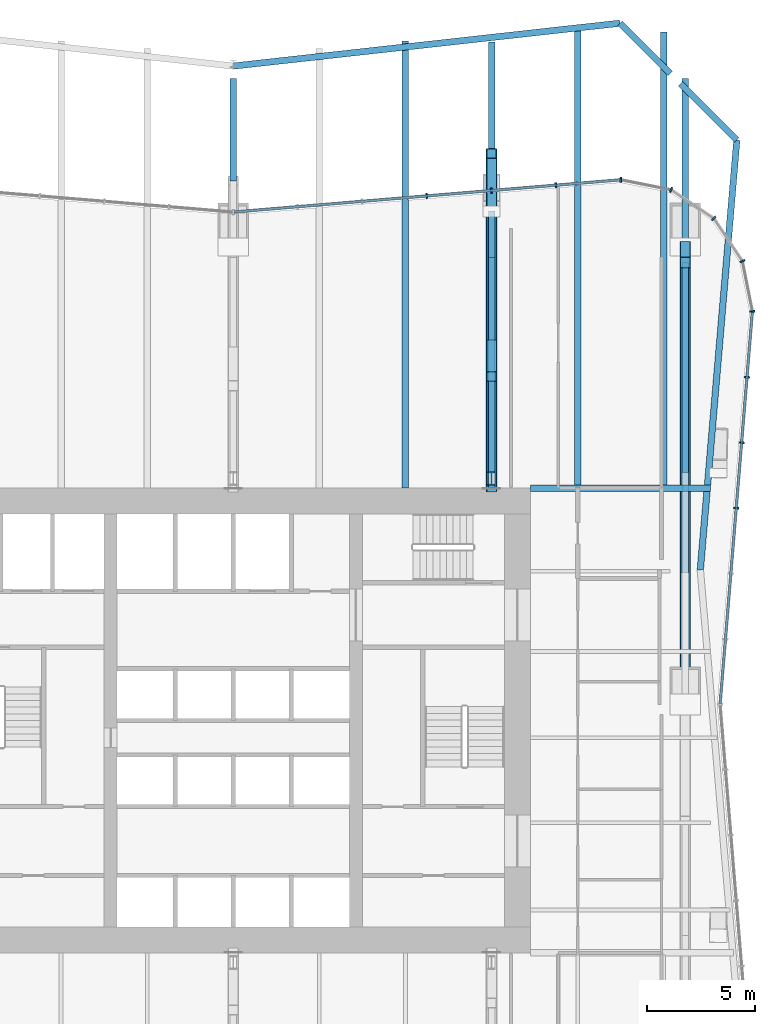
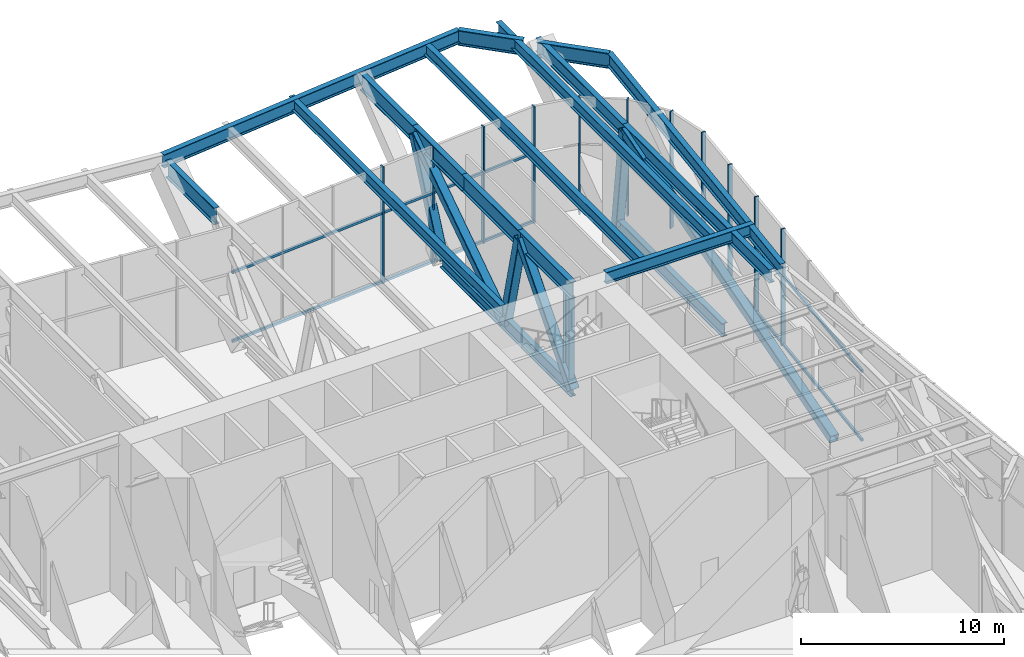
# One storey, part 9 of 17: 31 members, 8 beams, 3 elements without a shape of their own.
"""IFC4 building model written with IfcOpenShell, lengths in metres."""

from ifc_helpers import new_model, si_unit, direction, frame, origin, origin_2d, place, context, subcontext, project, spatial, rectangle, hollow_rectangle, i_section, extrude, material, material_profile, profile_set, type_object, element, aggregate, save


model = new_model("IFC4")

# Units and contexts
model_context = context("Model", 3, precision=1e-05, world=origin(), true_north=direction((0.0, 1.0)))
body_context = subcontext(model_context, "Body", "Model", "MODEL_VIEW")
ifc_project = project(units=[si_unit("LENGTHUNIT", "METRE"), si_unit("AREAUNIT", "SQUARE_METRE"), si_unit("VOLUMEUNIT", "CUBIC_METRE"), si_unit("PLANEANGLEUNIT", "RADIAN"), si_unit("MASSUNIT", "GRAM", prefix="KILO")], contexts=[model_context])

# Site, building, storey
site_placement = place(None, origin())
site = spatial("IfcSite", under=ifc_project, at=site_placement, CompositionType="ELEMENT")
building_placement = place(site_placement, origin())
building = spatial("IfcBuilding", under=site, at=building_placement, Name="Verdant Reach Tower", CompositionType="ELEMENT")
storey_placement = place(building_placement, frame((0.0, 0.0, 114.0)))
storey = spatial("IfcBuildingStorey", under=building, at=storey_placement, Name="L26 Plant", CompositionType="ELEMENT", Elevation=114.0)

# Curtain wall, members
ifc_material_1 = material(Name="Anodised aluminium", Category="aluminium")
curtain_wall_type = type_object("IfcCurtainWallType", Name="EN-CW SYSTEM PLANT", PredefinedType="NOTDEFINED", material=ifc_material_1)
curtain_wall_1_placement = place(storey_placement, origin())
curtain_wall_1 = element("IfcCurtainWall", 1, at=curtain_wall_1_placement, inside=storey, type_object=curtain_wall_type, Name="Curtain wall east, L26", PredefinedType="NOTDEFINED")
ifc_material_profile_1 = material_profile(ifc_material_1, rectangle(XDim=0.238037109375, YDim=0.080078125, at=origin_2d()), Name="Mullion 80x240")
ifc_profile_set_1 = profile_set([ifc_material_profile_1], Name="Anodised aluminium")
member_type_1 = type_object("IfcMemberType", Name="EN-MULLION PLANT", PredefinedType="MULLION", material=ifc_profile_set_1)
member_1_placement = place(storey_placement, frame((23.36865234375, 37.865234375, -0.35009765625), z_axis=(0.0, 0.0, 1.0), x_axis=(0.996639273542, -0.081915556724, 0.0)))
member_1 = element("IfcMember", 2, at=member_1_placement, type_object=member_type_1, Name="Mullion east face part 2 4, L26", PredefinedType="MULLION", context=body_context, shape_type="SweptSolid", body=[
    extrude(rectangle(XDim=0.238037109375, YDim=0.080078125, at=origin_2d()), origin(), (0.0, 0.0, 1.0), 7.0),
])
member_2_placement = place(storey_placement, frame((23.61865234375, 40.906982421875, -0.35009765625), z_axis=(0.0, 0.0, 1.0), x_axis=(0.996639273542, -0.081915556724, 0.0)))
member_2 = element("IfcMember", 3, at=member_2_placement, type_object=member_type_1, Name="Mullion east face part 2 5, L26", PredefinedType="MULLION", context=body_context, shape_type="SweptSolid", body=[
    extrude(rectangle(XDim=0.238037109375, YDim=0.080078125, at=origin_2d()), origin(), (0.0, 0.0, 1.0), 7.0),
])
member_3_placement = place(storey_placement, frame((23.86865234375, 43.948486328125, -0.35009765625), z_axis=(0.0, 0.0, 1.0), x_axis=(0.996639273542, -0.081915556724, 0.0)))
member_3 = element("IfcMember", 4, at=member_3_placement, type_object=member_type_1, Name="Mullion east face part 2 6, L26", PredefinedType="MULLION", context=body_context, shape_type="SweptSolid", body=[
    extrude(rectangle(XDim=0.238037109375, YDim=0.080078125, at=origin_2d()), origin(), (0.0, 0.0, 1.0), 7.0),
])

curtain_wall_2_placement = place(storey_placement, origin())
curtain_wall_2 = element("IfcCurtainWall", 5, at=curtain_wall_2_placement, inside=storey, type_object=curtain_wall_type, Name="Curtain wall north-east corner, L26", PredefinedType="NOTDEFINED")
member_4_placement = place(storey_placement, frame((24.118896484375, 47.0068359375, -0.35009765625), z_axis=(0.0, 0.0, 1.0), x_axis=(0.998366452275, 0.057135164055, 0.0)))
member_4 = element("IfcMember", 6, at=member_4_placement, type_object=member_type_1, Name="Mullion north-east corner 1, L26", PredefinedType="MULLION", context=body_context, shape_type="SweptSolid", body=[
    extrude(rectangle(XDim=0.238037109375, YDim=0.080078125, at=origin_2d()), origin(), (0.0, 0.0, 1.0), 7.0),
])
member_5_placement = place(storey_placement, frame((23.6533203125, 49.341552734375, -0.35009765625), z_axis=(0.0, 0.0, 1.0), x_axis=(0.923875215753, 0.382693853776, 0.0)))
member_5 = element("IfcMember", 7, at=member_5_placement, type_object=member_type_1, Name="Mullion north-east corner 2, L26", PredefinedType="MULLION", context=body_context, shape_type="SweptSolid", body=[
    extrude(rectangle(XDim=0.238037109375, YDim=0.080078125, at=origin_2d()), origin(), (0.0, 0.0, 1.0), 7.0),
])
member_6_placement = place(storey_placement, frame((22.32666015625, 51.32666015625, -0.35009765625), z_axis=(0.0, 0.0, 1.0), x_axis=(0.707106781187, 0.707106781187, 0.0)))
member_6 = element("IfcMember", 8, at=member_6_placement, type_object=member_type_1, Name="Mullion north-east corner 3, L26", PredefinedType="MULLION", context=body_context, shape_type="SweptSolid", body=[
    extrude(rectangle(XDim=0.238037109375, YDim=0.080078125, at=origin_2d()), origin(), (0.0, 0.0, 1.0), 7.0),
])
member_7_placement = place(storey_placement, frame((20.341552734375, 52.6533203125, -0.35009765625), z_axis=(0.0, 0.0, 1.0), x_axis=(0.382693853776, 0.923875215753, 0.0)))
member_7 = element("IfcMember", 9, at=member_7_placement, type_object=member_type_1, Name="Mullion north-east corner 4, L26", PredefinedType="MULLION", context=body_context, shape_type="SweptSolid", body=[
    extrude(rectangle(XDim=0.238037109375, YDim=0.080078125, at=origin_2d()), origin(), (0.0, 0.0, 1.0), 7.0),
])
aggregate(curtain_wall_2, [member_4, member_5, member_6, member_7])

curtain_wall_3_placement = place(storey_placement, origin())
curtain_wall_3 = element("IfcCurtainWall", 10, at=curtain_wall_3_placement, inside=storey, type_object=curtain_wall_type, Name="Curtain wall north, L26", PredefinedType="NOTDEFINED")
member_8_placement = place(storey_placement, frame((18.0068359375, 53.118896484375, -0.35009765625), z_axis=(0.0, 0.0, 1.0), x_axis=(0.056569187765, 0.998398681387, 0.0)))
member_8 = element("IfcMember", 11, at=member_8_placement, type_object=member_type_1, Name="Mullion north face part 1 1, L26", PredefinedType="MULLION", context=body_context, shape_type="SweptSolid", body=[
    extrude(rectangle(XDim=0.238037109375, YDim=0.080078125, at=origin_2d()), origin(), (0.0, 0.0, 1.0), 7.0),
])
member_9_placement = place(storey_placement, frame((14.990234375, 52.86865234375, -0.35009765625), z_axis=(0.0, 0.0, 1.0), x_axis=(-0.083045479859, 0.996545758244, 0.0)))
member_9 = element("IfcMember", 12, at=member_9_placement, type_object=member_type_1, Name="Mullion north face part 1 2, L26", PredefinedType="MULLION", context=body_context, shape_type="SweptSolid", body=[
    extrude(rectangle(XDim=0.238037109375, YDim=0.080078125, at=origin_2d()), origin(), (0.0, 0.0, 1.0), 7.0),
])
member_10_placement = place(storey_placement, frame((11.990234375, 52.61865234375, -0.35009765625), z_axis=(0.0, 0.0, 1.0), x_axis=(-0.083045479859, 0.996545758244, 0.0)))
member_10 = element("IfcMember", 13, at=member_10_placement, type_object=member_type_1, Name="Mullion north face part 1 3, L26", PredefinedType="MULLION", context=body_context, shape_type="SweptSolid", body=[
    extrude(rectangle(XDim=0.238037109375, YDim=0.080078125, at=origin_2d()), origin(), (0.0, 0.0, 1.0), 7.0),
])
member_11_placement = place(storey_placement, frame((8.990234375, 52.36865234375, -0.35009765625), z_axis=(0.0, 0.0, 1.0), x_axis=(-0.083045479859, 0.996545758244, 0.0)))
member_11 = element("IfcMember", 14, at=member_11_placement, type_object=member_type_1, Name="Mullion north face part 1 4, L26", PredefinedType="MULLION", context=body_context, shape_type="SweptSolid", body=[
    extrude(rectangle(XDim=0.238037109375, YDim=0.080078125, at=origin_2d()), origin(), (0.0, 0.0, 1.0), 7.0),
])

# Member
ifc_material_profile_2 = material_profile(ifc_material_1, rectangle(XDim=0.1201171875, YDim=0.14990234375, at=origin_2d()), Name="Transom 150x120")
ifc_profile_set_2 = profile_set([ifc_material_profile_2], Name="Anodised aluminium")
member_type_2 = type_object("IfcMemberType", Name="EN-TRANSOM PLANT", PredefinedType="USERDEFINED", material=ifc_profile_set_2)
member_12_placement = place(storey_placement, frame((22.622314453125, 28.789794921875, -0.27490234375), z_axis=(0.081868928861, 0.996643104871, 0.0), x_axis=(-0.996643104871, 0.081868928861, 0.0)))
member_12 = element("IfcMember", 15, at=member_12_placement, type_object=member_type_2, Name="Transom east face part 2 1.1, L26", ObjectType="TRANSOM", PredefinedType="USERDEFINED", context=body_context, shape_type="SweptSolid", body=[
    extrude(rectangle(XDim=0.1201171875, YDim=0.14990234375, at=origin_2d()), origin(), (0.0, 0.0, 1.0), 18.238525390625),
])

member_13_placement = place(storey_placement, frame((22.622314453125, 28.789794921875, 3.85009765625), z_axis=(0.081868928861, 0.996643104871, 0.0), x_axis=(-0.996643104871, 0.081868928861, 0.0)))
member_13 = element("IfcMember", 16, at=member_13_placement, type_object=member_type_2, Name="Transom east face part 2 1.2, L26", ObjectType="TRANSOM", PredefinedType="USERDEFINED", context=body_context, shape_type="SweptSolid", body=[
    extrude(rectangle(XDim=0.1201171875, YDim=0.14990234375, at=origin_2d()), origin(), (0.0, 0.0, 1.0), 18.238525390625),
])

aggregate(curtain_wall_1, [member_1, member_2, member_3, member_12, member_13])

member_14_placement = place(storey_placement, frame((17.966796875, 53.115478515625, -0.27490234375), z_axis=(-0.996549220477, -0.083003922598, 0.0), x_axis=(0.083003922598, -0.996549220477, 0.0)))
member_14 = element("IfcMember", 17, at=member_14_placement, type_object=member_type_2, Name="Transom north face part 1 1.1, L26", ObjectType="TRANSOM", PredefinedType="USERDEFINED", context=body_context, shape_type="SweptSolid", body=[
    extrude(rectangle(XDim=0.1201171875, YDim=0.14990234375, at=origin_2d()), origin(), (0.0, 0.0, 1.0), 17.989013671875),
])

member_15_placement = place(storey_placement, frame((17.966796875, 53.115478515625, 3.85009765625), z_axis=(-0.996549220477, -0.083003922598, 0.0), x_axis=(0.083003922598, -0.996549220477, 0.0)))
member_15 = element("IfcMember", 18, at=member_15_placement, type_object=member_type_2, Name="Transom north face part 1 1.2, L26", ObjectType="TRANSOM", PredefinedType="USERDEFINED", context=body_context, shape_type="SweptSolid", body=[
    extrude(rectangle(XDim=0.1201171875, YDim=0.14990234375, at=origin_2d()), origin(), (0.0, 0.0, 1.0), 17.989013671875),
])

aggregate(curtain_wall_3, [member_8, member_9, member_10, member_11, member_14, member_15])

# Beams
ifc_material_2 = material(Name="Steel S355", Category="steel")
ifc_material_profile_3 = material_profile(ifc_material_2, i_section(OverallWidth=0.300048828125, OverallDepth=0.699951171875, WebThickness=0.01708984375, FlangeThickness=0.031982421875, FilletRadius=0.027099609375, at=origin_2d()), Name="HEB 700")
ifc_profile_set_3 = profile_set([ifc_material_profile_3], Name="Steel S355")
beam_type_1 = type_object("IfcBeamType", Name="ST-BEAM-HEB700", PredefinedType="BEAM", material=ifc_profile_set_3)
beam_1_placement = place(storey_placement, frame((13.800048828125, 38.800048828125, 6.52001953125), z_axis=(1.0, 0.0, 0.0), x_axis=(0.0, 1.0, 0.0)))
element("IfcBeam", 19, at=beam_1_placement, inside=storey, type_object=beam_type_1, Name="Trimmer beam, L26 Plant", PredefinedType="BEAM", context=body_context, shape_type="SweptSolid", body=[
    extrude(i_section(OverallWidth=0.300048828125, OverallDepth=0.699951171875, WebThickness=0.01708984375, FlangeThickness=0.031982421875, FilletRadius=0.027099609375, at=origin_2d()), origin(), (0.0, 0.0, 1.0), 8.38330078125),
])
ifc_material_profile_4 = material_profile(ifc_material_2, i_section(OverallWidth=0.300048828125, OverallDepth=0.68994140625, WebThickness=0.014404296875, FlangeThickness=0.027099609375, FilletRadius=0.027099609375, at=origin_2d()), Name="HEA 700")
ifc_profile_set_4 = profile_set([ifc_material_profile_4], Name="Steel S355")
beam_type_2 = type_object("IfcBeamType", Name="ST-JOIST-HEA700", PredefinedType="JOIST", material=ifc_profile_set_4)
beam_2_placement = place(storey_placement, frame((8.0, 38.800048828125, 6.52490234375), z_axis=(0.0, 1.0, 0.0), x_axis=(-1.0, 0.0, 0.0)))
element("IfcBeam", 20, at=beam_2_placement, inside=storey, type_object=beam_type_2, Name="Floor joist, L26 Plant", PredefinedType="JOIST", context=body_context, shape_type="SweptSolid", body=[
    extrude(i_section(OverallWidth=0.300048828125, OverallDepth=0.68994140625, WebThickness=0.014404296875, FlangeThickness=0.027099609375, FilletRadius=0.027099609375, at=origin_2d()), origin(), (0.0, 0.0, 1.0), 20.7646484375),
])
beam_3_placement = place(storey_placement, frame((16.0, 38.89990234375, 6.52490234375), z_axis=(0.0, 1.0, 0.0), x_axis=(-1.0, 0.0, 0.0)))
element("IfcBeam", 21, at=beam_3_placement, inside=storey, type_object=beam_type_2, Name="Floor joist, L26 Plant", PredefinedType="JOIST", context=body_context, shape_type="SweptSolid", body=[
    extrude(i_section(OverallWidth=0.300048828125, OverallDepth=0.68994140625, WebThickness=0.014404296875, FlangeThickness=0.027099609375, FilletRadius=0.027099609375, at=origin_2d()), origin(), (0.0, 0.0, 1.0), 21.331298828125),
])
beam_4_placement = place(storey_placement, frame((20.0, 38.89990234375, 6.52490234375), z_axis=(0.0, 1.0, 0.0), x_axis=(-1.0, 0.0, 0.0)))
element("IfcBeam", 22, at=beam_4_placement, inside=storey, type_object=beam_type_2, Name="Floor joist, L26 Plant", PredefinedType="JOIST", context=body_context, shape_type="SweptSolid", body=[
    extrude(i_section(OverallWidth=0.300048828125, OverallDepth=0.68994140625, WebThickness=0.014404296875, FlangeThickness=0.027099609375, FilletRadius=0.027099609375, at=origin_2d()), origin(), (0.0, 0.0, 1.0), 21.090576171875),
])
ifc_material_profile_5 = material_profile(ifc_material_2, i_section(OverallWidth=0.300048828125, OverallDepth=0.800048828125, WebThickness=0.017578125, FlangeThickness=0.032958984375, FilletRadius=0.030029296875, at=origin_2d()), Name="HEB 800")
ifc_profile_set_5 = profile_set([ifc_material_profile_5], Name="Steel S355")
beam_type_3 = type_object("IfcBeamType", Name="ST-SPANDREL-HEB800", PredefinedType="SPANDREL", material=ifc_profile_set_5)
beam_5_placement = place(storey_placement, frame((0.0, 58.404296875, 6.469970703125), z_axis=(0.993916961694, 0.110132071882, 0.0), x_axis=(-0.110132071882, 0.993916961694, 0.0)))
element("IfcBeam", 23, at=beam_5_placement, inside=storey, type_object=beam_type_3, Name="Edge beam, L26 Plant", PredefinedType="SPANDREL", context=body_context, shape_type="SweptSolid", body=[
    extrude(i_section(OverallWidth=0.300048828125, OverallDepth=0.800048828125, WebThickness=0.017578125, FlangeThickness=0.032958984375, FilletRadius=0.030029296875, at=origin_2d()), origin(), (0.0, 0.0, 1.0), 18.07568359375),
])
beam_6_placement = place(storey_placement, frame((23.3955078125, 54.963134765625, 6.469970703125), z_axis=(-0.084629683937, -0.996412473124, 0.0), x_axis=(0.996412473124, -0.084629683937, 0.0)))
element("IfcBeam", 24, at=beam_6_placement, inside=storey, type_object=beam_type_3, Name="Edge beam, L26 Plant", PredefinedType="SPANDREL", context=body_context, shape_type="SweptSolid", body=[
    extrude(i_section(OverallWidth=0.300048828125, OverallDepth=0.800048828125, WebThickness=0.017578125, FlangeThickness=0.032958984375, FilletRadius=0.030029296875, at=origin_2d()), origin(), (0.0, 0.0, 1.0), 20.034912109375),
])
ifc_material_profile_6 = material_profile(ifc_material_2, i_section(OverallWidth=0.302001953125, OverallDepth=0.909912109375, WebThickness=0.02099609375, FlangeThickness=0.0400390625, FilletRadius=0.030029296875, at=origin_2d()), Name="HEM 900")
ifc_profile_set_6 = profile_set([ifc_material_profile_6], Name="Steel S355")
beam_type_4 = type_object("IfcBeamType", Name="ST-SPANDREL-HEM900", PredefinedType="SPANDREL", material=ifc_profile_set_6)
beam_7_placement = place(storey_placement, frame((17.9658203125, 60.39501953125, 6.4150390625), z_axis=(0.706958881844, -0.707254649601, 0.0), x_axis=(0.707254649601, 0.706958881844, 0.0)))
element("IfcBeam", 25, at=beam_7_placement, inside=storey, type_object=beam_type_4, Name="Edge beam, L26 Plant", PredefinedType="SPANDREL", context=body_context, shape_type="SweptSolid", body=[
    extrude(i_section(OverallWidth=0.302001953125, OverallDepth=0.909912109375, WebThickness=0.02099609375, FlangeThickness=0.0400390625, FilletRadius=0.030029296875, at=origin_2d()), origin(), (0.0, 0.0, 1.0), 3.3017578125),
])
beam_8_placement = place(storey_placement, frame((20.7822265625, 57.577392578125, 6.4150390625), z_axis=(0.706974673431, -0.707238864265, 0.0), x_axis=(0.707238864265, 0.706974673431, 0.0)))
element("IfcBeam", 26, at=beam_8_placement, inside=storey, type_object=beam_type_4, Name="Edge beam, L26 Plant", PredefinedType="SPANDREL", context=body_context, shape_type="SweptSolid", body=[
    extrude(i_section(OverallWidth=0.302001953125, OverallDepth=0.909912109375, WebThickness=0.02099609375, FlangeThickness=0.0400390625, FilletRadius=0.030029296875, at=origin_2d()), origin(), (0.0, 0.0, 1.0), 3.696533203125),
])

# Members
ifc_material_3 = material(Name="Steel S460", Category="steel")
ifc_material_profile_7 = material_profile(ifc_material_3, hollow_rectangle(XDim=0.5, YDim=0.5, WallThickness=0.02490234375, InnerFilletRadius=0.02490234375, OuterFilletRadius=0.050048828125, at=origin_2d()), Name="RHS 500x500x25")
ifc_profile_set_7 = profile_set([ifc_material_profile_7], Name="Steel S460")
member_type_3 = type_object("IfcMemberType", Name="ST-TRUSS-BRACE-RHS500x500x25", PredefinedType="BRACE", material=ifc_profile_set_7)
member_16_placement = place(storey_placement, frame((12.0, 38.800048828125, 0.406982421875), z_axis=(0.0, 0.656084552921, 0.754687391851), x_axis=(-1.0, 0.0, 0.0)))
element("IfcMember", 27, at=member_16_placement, inside=storey, type_object=member_type_3, Name="Outrigger truss E north, diagonal, L26 Plant", PredefinedType="BRACE", context=body_context, shape_type="SweptSolid", body=[
    extrude(hollow_rectangle(XDim=0.5, YDim=0.5, WallThickness=0.02490234375, InnerFilletRadius=0.02490234375, OuterFilletRadius=0.050048828125, at=origin_2d()), origin(), (0.0, 0.0, 1.0), 7.89599609375),
])
member_17_placement = place(storey_placement, frame((12.0, 43.98046875, 6.365966796875), z_axis=(0.0, 0.237888649793, -0.971292432947), x_axis=(-1.0, 0.0, 0.0)))
element("IfcMember", 28, at=member_17_placement, inside=storey, type_object=member_type_3, Name="Outrigger truss E north, diagonal, L26 Plant", PredefinedType="BRACE", context=body_context, shape_type="SweptSolid", body=[
    extrude(hollow_rectangle(XDim=0.5, YDim=0.5, WallThickness=0.02490234375, InnerFilletRadius=0.02490234375, OuterFilletRadius=0.050048828125, at=origin_2d()), origin(), (0.0, 0.0, 1.0), 6.135009765625),
])
member_18_placement = place(storey_placement, frame((12.0, 45.43994140625, 0.406982421875), z_axis=(0.0, 0.830989864134, 0.556287556671), x_axis=(-1.0, 0.0, 0.0)))
element("IfcMember", 29, at=member_18_placement, inside=storey, type_object=member_type_3, Name="Outrigger truss E north, diagonal, L26 Plant", PredefinedType="BRACE", context=body_context, shape_type="SweptSolid", body=[
    extrude(hollow_rectangle(XDim=0.5, YDim=0.5, WallThickness=0.02490234375, InnerFilletRadius=0.02490234375, OuterFilletRadius=0.050048828125, at=origin_2d()), origin(), (0.0, 0.0, 1.0), 10.712158203125),
])
member_19_placement = place(storey_placement, frame((12.0, 54.341552734375, 6.365966796875), z_axis=(0.0, -0.410470306807, -0.911873964553), x_axis=(1.0, 0.0, 0.0)))
element("IfcMember", 30, at=member_19_placement, inside=storey, type_object=member_type_3, Name="Outrigger truss E north, diagonal, L26 Plant", PredefinedType="BRACE", context=body_context, shape_type="SweptSolid", body=[
    extrude(hollow_rectangle(XDim=0.5, YDim=0.5, WallThickness=0.02490234375, InnerFilletRadius=0.02490234375, OuterFilletRadius=0.050048828125, at=origin_2d()), origin(), (0.0, 0.0, 1.0), 6.534912109375),
])
member_20_placement = place(storey_placement, frame((21.0, 28.757080078125, 0.406982421875), z_axis=(0.0, 0.959111657306, 0.283027964732), x_axis=(-1.0, 0.0, 0.0)))
element("IfcMember", 31, at=member_20_placement, inside=storey, type_object=member_type_3, Name="Transfer truss F east, diagonal, L26 Plant", PredefinedType="BRACE", context=body_context, shape_type="SweptSolid", body=[
    extrude(hollow_rectangle(XDim=0.5, YDim=0.5, WallThickness=0.02490234375, InnerFilletRadius=0.02490234375, OuterFilletRadius=0.050048828125, at=origin_2d()), origin(), (0.0, 0.0, 1.0), 21.39697265625),
])
member_21_placement = place(storey_placement, frame((21.0, 49.279052734375, 6.462890625), z_axis=(0.0, 0.119673921477, -0.992813251583), x_axis=(-1.0, 0.0, 0.0)))
element("IfcMember", 32, at=member_21_placement, inside=storey, type_object=member_type_3, Name="Transfer truss F east, diagonal, L26 Plant", PredefinedType="BRACE", context=body_context, shape_type="SweptSolid", body=[
    extrude(hollow_rectangle(XDim=0.5, YDim=0.5, WallThickness=0.02490234375, InnerFilletRadius=0.02490234375, OuterFilletRadius=0.050048828125, at=origin_2d()), origin(), (0.0, 0.0, 1.0), 6.099853515625),
])
ifc_material_profile_8 = material_profile(ifc_material_3, i_section(OverallWidth=0.302001953125, OverallDepth=1.008056640625, WebThickness=0.02099609375, FlangeThickness=0.0400390625, FilletRadius=0.030029296875, at=origin_2d()), Name="HEM 1000")
ifc_profile_set_8 = profile_set([ifc_material_profile_8], Name="Steel S460")
member_type_4 = type_object("IfcMemberType", Name="ST-TRUSS-CHORD-HEM1000", PredefinedType="CHORD", material=ifc_profile_set_8)
member_22_placement = place(storey_placement, frame((0.0, 53.0673828125, 6.365966796875), z_axis=(0.0, 1.0, 0.0), x_axis=(-1.0, 0.0, 0.0)))
element("IfcMember", 33, at=member_22_placement, inside=storey, type_object=member_type_4, Name="Outrigger truss D north, top chord, L26 Plant", PredefinedType="CHORD", context=body_context, shape_type="SweptSolid", body=[
    extrude(i_section(OverallWidth=0.302001953125, OverallDepth=1.008056640625, WebThickness=0.02099609375, FlangeThickness=0.0400390625, FilletRadius=0.030029296875, at=origin_2d()), origin(), (0.0, 0.0, 1.0), 4.755859375),
])
member_23_placement = place(storey_placement, frame((12.0, 38.800048828125, 6.365966796875), z_axis=(0.0, 1.0, 0.0), x_axis=(-1.0, 0.0, 0.0)))
element("IfcMember", 34, at=member_23_placement, inside=storey, type_object=member_type_4, Name="Outrigger truss E north, top chord, L26 Plant", PredefinedType="CHORD", context=body_context, shape_type="SweptSolid", body=[
    extrude(i_section(OverallWidth=0.302001953125, OverallDepth=1.008056640625, WebThickness=0.02099609375, FlangeThickness=0.0400390625, FilletRadius=0.030029296875, at=origin_2d()), origin(), (0.0, 0.0, 1.0), 5.180419921875),
])
member_24_placement = place(storey_placement, frame((12.0, 43.98046875, 6.365966796875), z_axis=(0.0, 1.0, 0.0), x_axis=(-1.0, 0.0, 0.0)))
element("IfcMember", 35, at=member_24_placement, inside=storey, type_object=member_type_4, Name="Outrigger truss E north, top chord, L26 Plant", PredefinedType="CHORD", context=body_context, shape_type="SweptSolid", body=[
    extrude(i_section(OverallWidth=0.302001953125, OverallDepth=1.008056640625, WebThickness=0.02099609375, FlangeThickness=0.0400390625, FilletRadius=0.030029296875, at=origin_2d()), origin(), (0.0, 0.0, 1.0), 5.51953125),
])
member_25_placement = place(storey_placement, frame((12.0, 49.5, 6.365966796875), z_axis=(0.0, 1.0, 0.0), x_axis=(-1.0, 0.0, 0.0)))
element("IfcMember", 36, at=member_25_placement, inside=storey, type_object=member_type_4, Name="Outrigger truss E north, top chord, L26 Plant", PredefinedType="CHORD", context=body_context, shape_type="SweptSolid", body=[
    extrude(i_section(OverallWidth=0.302001953125, OverallDepth=1.008056640625, WebThickness=0.02099609375, FlangeThickness=0.0400390625, FilletRadius=0.030029296875, at=origin_2d()), origin(), (0.0, 0.0, 1.0), 4.841552734375),
])
member_26_placement = place(storey_placement, frame((12.0, 54.341552734375, 6.365966796875), z_axis=(0.0, 1.0, 0.0), x_axis=(-1.0, 0.0, 0.0)))
element("IfcMember", 37, at=member_26_placement, inside=storey, type_object=member_type_4, Name="Outrigger truss E north, top chord, L26 Plant", PredefinedType="CHORD", context=body_context, shape_type="SweptSolid", body=[
    extrude(i_section(OverallWidth=0.302001953125, OverallDepth=1.008056640625, WebThickness=0.02099609375, FlangeThickness=0.0400390625, FilletRadius=0.030029296875, at=origin_2d()), origin(), (0.0, 0.0, 1.0), 5.1806640625),
])
ifc_material_profile_9 = material_profile(ifc_material_3, i_section(OverallWidth=0.302978515625, OverallDepth=0.81396484375, WebThickness=0.02099609375, FlangeThickness=0.0400390625, FilletRadius=0.030029296875, at=origin_2d()), Name="HEM 800")
ifc_profile_set_9 = profile_set([ifc_material_profile_9], Name="Steel S460")
member_type_5 = type_object("IfcMemberType", Name="ST-TRUSS-CHORD-HEM800", PredefinedType="CHORD", material=ifc_profile_set_9)
member_27_placement = place(storey_placement, frame((12.0, 38.800048828125, 0.406982421875), z_axis=(0.0, 1.0, 0.0), x_axis=(-1.0, 0.0, 0.0)))
element("IfcMember", 38, at=member_27_placement, inside=storey, type_object=member_type_5, Name="Outrigger truss E north, bottom chord, L26 Plant", PredefinedType="CHORD", context=body_context, shape_type="SweptSolid", body=[
    extrude(i_section(OverallWidth=0.302978515625, OverallDepth=0.81396484375, WebThickness=0.02099609375, FlangeThickness=0.0400390625, FilletRadius=0.030029296875, at=origin_2d()), origin(), (0.0, 0.0, 1.0), 12.859130859375),
])
member_28_placement = place(storey_placement, frame((21.0, 34.86181640625, 6.462890625), z_axis=(0.0, 1.0, 0.0), x_axis=(-1.0, 0.0, 0.0)))
element("IfcMember", 39, at=member_28_placement, inside=storey, type_object=member_type_5, Name="Transfer truss F east, top chord, L26 Plant", PredefinedType="CHORD", context=body_context, shape_type="SweptSolid", body=[
    extrude(i_section(OverallWidth=0.302978515625, OverallDepth=0.81396484375, WebThickness=0.02099609375, FlangeThickness=0.0400390625, FilletRadius=0.030029296875, at=origin_2d()), origin(), (0.0, 0.0, 1.0), 14.417236328125),
])
member_29_placement = place(storey_placement, frame((21.0, 49.279052734375, 6.462890625), z_axis=(0.0, 1.0, 0.0), x_axis=(-1.0, 0.0, 0.0)))
element("IfcMember", 40, at=member_29_placement, inside=storey, type_object=member_type_5, Name="Transfer truss F east, top chord, L26 Plant", PredefinedType="CHORD", context=body_context, shape_type="SweptSolid", body=[
    extrude(i_section(OverallWidth=0.302978515625, OverallDepth=0.81396484375, WebThickness=0.02099609375, FlangeThickness=0.0400390625, FilletRadius=0.030029296875, at=origin_2d()), origin(), (0.0, 0.0, 1.0), 8.544189453125),
])
member_30_placement = place(storey_placement, frame((21.0, 39.51123046875, 0.406982421875), z_axis=(0.0, 1.0, 0.0), x_axis=(-1.0, 0.0, 0.0)))
element("IfcMember", 41, at=member_30_placement, inside=storey, type_object=member_type_5, Name="Transfer truss F east, bottom chord, L26 Plant", PredefinedType="CHORD", context=body_context, shape_type="SweptSolid", body=[
    extrude(i_section(OverallWidth=0.302978515625, OverallDepth=0.81396484375, WebThickness=0.02099609375, FlangeThickness=0.0400390625, FilletRadius=0.030029296875, at=origin_2d()), origin(), (0.0, 0.0, 1.0), 10.497802734375),
])
ifc_material_profile_10 = material_profile(ifc_material_3, i_section(OverallWidth=0.304931640625, OverallDepth=0.6201171875, WebThickness=0.02099609375, FlangeThickness=0.0400390625, FilletRadius=0.027099609375, at=origin_2d()), Name="HEM 600")
ifc_profile_set_10 = profile_set([ifc_material_profile_10], Name="Steel S460")
member_type_6 = type_object("IfcMemberType", Name="ST-TRUSS-POST-HEM600", PredefinedType="POST", material=ifc_profile_set_10)
member_31_placement = place(storey_placement, frame((12.0, 39.25, 0.833984375), z_axis=(0.0, 0.0, 1.0), x_axis=(1.0, 0.0, 0.0)))
element("IfcMember", 42, at=member_31_placement, inside=storey, type_object=member_type_6, Name="Outrigger truss E north, end post, L26 Plant", PredefinedType="POST", context=body_context, shape_type="SweptSolid", body=[
    extrude(i_section(OverallWidth=0.304931640625, OverallDepth=0.6201171875, WebThickness=0.02099609375, FlangeThickness=0.0400390625, FilletRadius=0.027099609375, at=origin_2d()), origin(), (0.0, 0.0, 1.0), 5.008056640625),
])

save(model, "model.ifc")
